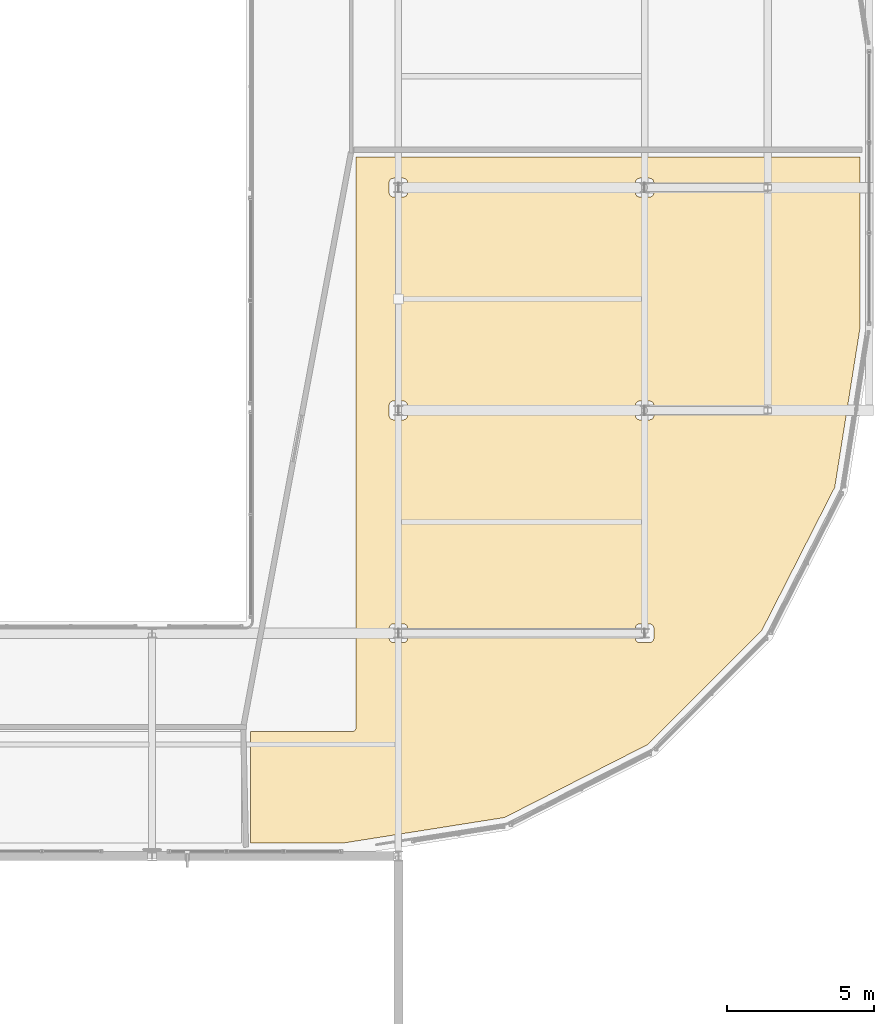
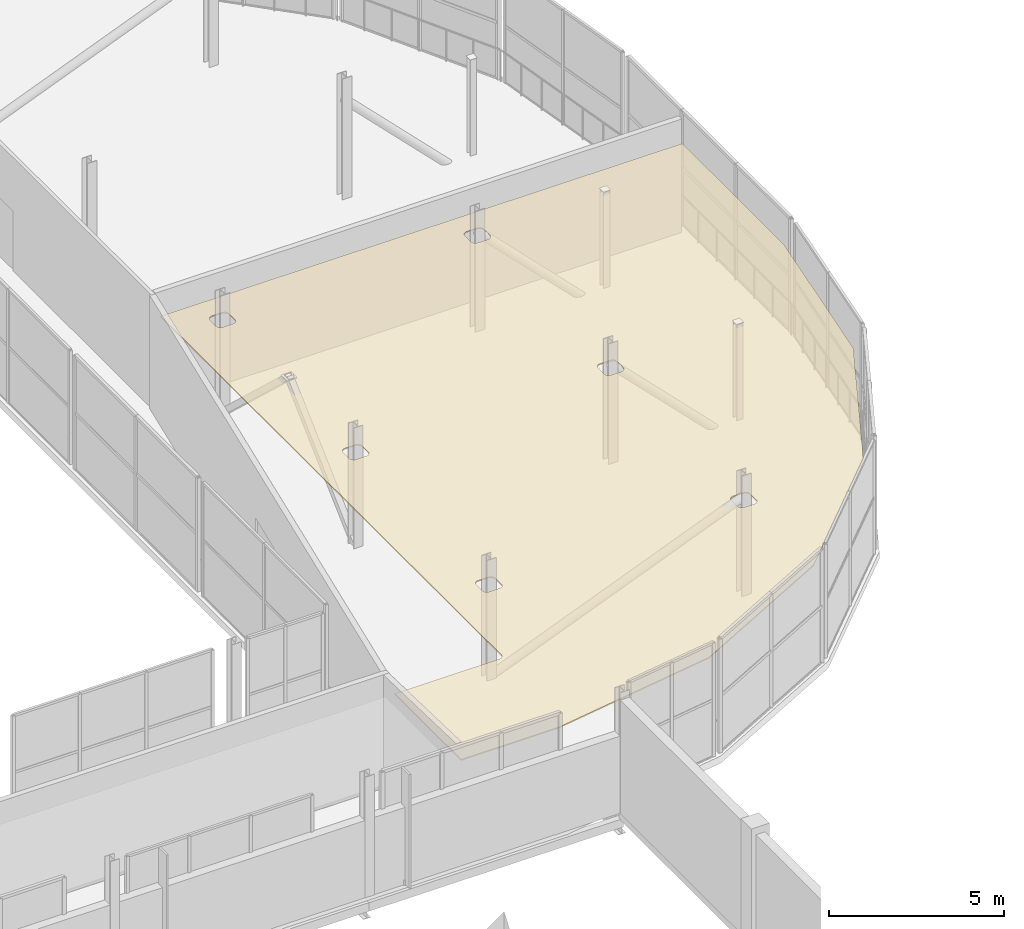
# One storey, part 151 of 151: 1 covering.
"""IFC4 building model written with IfcOpenShell, lengths in metres."""

from ifc_helpers import new_model, si_unit, direction, frame, origin, place, context, subcontext, project, spatial, polyline, outline, extrude, material, layer, layer_set, type_object, element, save


model = new_model("IFC4")

# Units and contexts
model_context = context("Model", 3, precision=1e-05, world=origin(), true_north=direction((0.0, 1.0)))
body_context = subcontext(model_context, "Body", "Model", "MODEL_VIEW")
ifc_project = project(units=[si_unit("LENGTHUNIT", "METRE"), si_unit("AREAUNIT", "SQUARE_METRE"), si_unit("VOLUMEUNIT", "CUBIC_METRE"), si_unit("PLANEANGLEUNIT", "RADIAN"), si_unit("MASSUNIT", "GRAM", prefix="KILO")], contexts=[model_context])

# Site, building, storey
site_placement = place(None, origin())
site = spatial("IfcSite", under=ifc_project, at=site_placement, CompositionType="ELEMENT")
building_placement = place(site_placement, origin())
building = spatial("IfcBuilding", under=site, at=building_placement, Name="Zuvorla Pavilion Media Centre", CompositionType="ELEMENT")
storey_placement = place(building_placement, frame((0.0, 0.0, 13.800048828125)))
storey = spatial("IfcBuildingStorey", under=building, at=storey_placement, Name="L03", CompositionType="ELEMENT", Elevation=13.800048828125)

# Covering
ifc_material = material(Name="Perforated gypsum acoustic studio ceiling")
ifc_layer = layer(ifc_material, 0.0400390625)
ifc_layer_set = layer_set([ifc_layer], Name="Perforated gypsum acoustic studio ceiling")
covering_type = type_object("IfcCoveringType", Name="COV-CLG-ACOUST", PredefinedType="CEILING", material=ifc_layer_set)
covering_placement = place(storey_placement, frame((0.0, 0.0, 3.179931640625)))
element("IfcCovering", 1, at=covering_placement, inside=storey, type_object=covering_type, Name="L03 acoustic ceiling 12", PredefinedType="CEILING", context=body_context, shape_type="SweptSolid", body=[
    extrude(outline(polyline([(167.71240234375, 47.806396484375), (162.821533203125, 45.314208984375), (157.364501953125, 44.449951171875), (154.159912109375, 44.449951171875), (154.159912109375, 48.239990234375), (157.60107421875, 48.239990234375), (157.61572265625, 48.24072265625), (157.63037109375, 48.242919921875), (157.63134765625, 48.2431640625), (157.634521484375, 48.243896484375), (157.635498046875, 48.243896484375), (157.64990234375, 48.247802734375), (157.663818359375, 48.25341796875), (157.66552734375, 48.254150390625), (157.677490234375, 48.260009765625), (157.678466796875, 48.260498046875), (157.689208984375, 48.26708984375), (157.69921875, 48.274658203125), (157.70068359375, 48.27587890625), (157.713134765625, 48.286865234375), (157.72412109375, 48.29931640625), (157.725341796875, 48.30078125), (157.73291015625, 48.310791015625), (157.739501953125, 48.321533203125), (157.739990234375, 48.322509765625), (157.745849609375, 48.33447265625), (157.74658203125, 48.336181640625), (157.752197265625, 48.35009765625), (157.756103515625, 48.364501953125), (157.756103515625, 48.365478515625), (157.7568359375, 48.36865234375), (157.757080078125, 48.36962890625), (157.75927734375, 48.38427734375), (157.760009765625, 48.39892578125), (157.760009765625, 67.840087890625), (174.949951171875, 67.840087890625), (174.949951171875, 62.035400390625), (174.085693359375, 56.57861328125), (171.59375, 51.687744140625), (167.71240234375, 47.806396484375)]), holes=[polyline([(167.285400390625, 51.4296875), (167.2861328125, 51.4150390625), (167.288330078125, 51.400390625), (167.2919921875, 51.38623046875), (167.296875, 51.372314453125), (167.302978515625, 51.359130859375), (167.310791015625, 51.346435546875), (167.3193359375, 51.334716796875), (167.329345703125, 51.32373046875), (167.340087890625, 51.313720703125), (167.35205078125, 51.30517578125), (167.36474609375, 51.297607421875), (167.3779296875, 51.291259765625), (167.391845703125, 51.286376953125), (167.406005859375, 51.28271484375), (167.420654296875, 51.280517578125), (167.435302734375, 51.27978515625), (167.7646484375, 51.27978515625), (167.779296875, 51.280517578125), (167.7939453125, 51.28271484375), (167.80810546875, 51.286376953125), (167.822021484375, 51.291259765625), (167.835205078125, 51.297607421875), (167.847900390625, 51.30517578125), (167.85986328125, 51.313720703125), (167.87060546875, 51.32373046875), (167.880615234375, 51.334716796875), (167.889404296875, 51.346435546875), (167.89697265625, 51.359130859375), (167.9033203125, 51.372314453125), (167.908203125, 51.38623046875), (167.91162109375, 51.400390625), (167.913818359375, 51.4150390625), (167.91455078125, 51.4296875), (167.91455078125, 51.770263671875), (167.913818359375, 51.784912109375), (167.91162109375, 51.799560546875), (167.908203125, 51.813720703125), (167.9033203125, 51.82763671875), (167.89697265625, 51.8408203125), (167.889404296875, 51.853515625), (167.880615234375, 51.865478515625), (167.87060546875, 51.876220703125), (167.85986328125, 51.88623046875), (167.847900390625, 51.89501953125), (167.835205078125, 51.902587890625), (167.822021484375, 51.90869140625), (167.80810546875, 51.913818359375), (167.7939453125, 51.917236328125), (167.779296875, 51.91943359375), (167.7646484375, 51.920166015625), (167.435302734375, 51.920166015625), (167.420654296875, 51.91943359375), (167.406005859375, 51.917236328125), (167.391845703125, 51.913818359375), (167.3779296875, 51.90869140625), (167.36474609375, 51.902587890625), (167.35205078125, 51.89501953125), (167.340087890625, 51.88623046875), (167.329345703125, 51.876220703125), (167.3193359375, 51.865478515625), (167.310791015625, 51.853515625), (167.302978515625, 51.8408203125), (167.296875, 51.82763671875), (167.2919921875, 51.813720703125), (167.288330078125, 51.799560546875), (167.2861328125, 51.784912109375), (167.285400390625, 51.770263671875), (167.285400390625, 51.4296875)]), polyline([(167.285400390625, 59.02978515625), (167.2861328125, 59.01513671875), (167.288330078125, 59.00048828125), (167.2919921875, 58.986328125), (167.296875, 58.972412109375), (167.302978515625, 58.958984375), (167.310791015625, 58.946533203125), (167.3193359375, 58.9345703125), (167.329345703125, 58.923583984375), (167.340087890625, 58.913818359375), (167.35205078125, 58.905029296875), (167.36474609375, 58.8974609375), (167.3779296875, 58.89111328125), (167.391845703125, 58.88623046875), (167.406005859375, 58.8828125), (167.420654296875, 58.880615234375), (167.435302734375, 58.8798828125), (167.7646484375, 58.8798828125), (167.779296875, 58.880615234375), (167.7939453125, 58.8828125), (167.80810546875, 58.88623046875), (167.822021484375, 58.89111328125), (167.835205078125, 58.8974609375), (167.847900390625, 58.905029296875), (167.85986328125, 58.913818359375), (167.87060546875, 58.923583984375), (167.880615234375, 58.9345703125), (167.889404296875, 58.946533203125), (167.89697265625, 58.958984375), (167.9033203125, 58.972412109375), (167.908203125, 58.986328125), (167.91162109375, 59.00048828125), (167.913818359375, 59.01513671875), (167.91455078125, 59.02978515625), (167.91455078125, 59.3701171875), (167.913818359375, 59.385009765625), (167.91162109375, 59.3994140625), (167.908203125, 59.413818359375), (167.9033203125, 59.427490234375), (167.89697265625, 59.44091796875), (167.889404296875, 59.45361328125), (167.880615234375, 59.46533203125), (167.87060546875, 59.476318359375), (167.85986328125, 59.486083984375), (167.847900390625, 59.494873046875), (167.835205078125, 59.50244140625), (167.822021484375, 59.5087890625), (167.80810546875, 59.513671875), (167.7939453125, 59.517333984375), (167.779296875, 59.51953125), (167.7646484375, 59.520263671875), (167.435302734375, 59.520263671875), (167.420654296875, 59.51953125), (167.406005859375, 59.517333984375), (167.391845703125, 59.513671875), (167.3779296875, 59.5087890625), (167.36474609375, 59.50244140625), (167.35205078125, 59.494873046875), (167.340087890625, 59.486083984375), (167.329345703125, 59.476318359375), (167.3193359375, 59.46533203125), (167.310791015625, 59.45361328125), (167.302978515625, 59.44091796875), (167.296875, 59.427490234375), (167.2919921875, 59.413818359375), (167.288330078125, 59.3994140625), (167.2861328125, 59.385009765625), (167.285400390625, 59.3701171875), (167.285400390625, 59.02978515625)]), polyline([(167.435302734375, 67.120361328125), (167.420654296875, 67.11962890625), (167.406005859375, 67.117431640625), (167.391845703125, 67.11376953125), (167.3779296875, 67.10888671875), (167.36474609375, 67.1025390625), (167.35205078125, 67.094970703125), (167.340087890625, 67.086181640625), (167.329345703125, 67.076416015625), (167.3193359375, 67.0654296875), (167.310791015625, 67.0537109375), (167.302978515625, 67.041015625), (167.296875, 67.027587890625), (167.2919921875, 67.013916015625), (167.288330078125, 66.99951171875), (167.2861328125, 66.985107421875), (167.285400390625, 66.97021484375), (167.285400390625, 66.629638671875), (167.2861328125, 66.614990234375), (167.288330078125, 66.600341796875), (167.2919921875, 66.586181640625), (167.296875, 66.572265625), (167.302978515625, 66.55908203125), (167.310791015625, 66.54638671875), (167.3193359375, 66.534423828125), (167.329345703125, 66.523681640625), (167.340087890625, 66.513671875), (167.35205078125, 66.5048828125), (167.36474609375, 66.497314453125), (167.3779296875, 66.4912109375), (167.391845703125, 66.486083984375), (167.406005859375, 66.482666015625), (167.420654296875, 66.48046875), (167.435302734375, 66.479736328125), (167.7646484375, 66.479736328125), (167.779296875, 66.48046875), (167.7939453125, 66.482666015625), (167.80810546875, 66.486083984375), (167.822021484375, 66.4912109375), (167.835205078125, 66.497314453125), (167.847900390625, 66.5048828125), (167.85986328125, 66.513671875), (167.87060546875, 66.523681640625), (167.880615234375, 66.534423828125), (167.889404296875, 66.54638671875), (167.89697265625, 66.55908203125), (167.9033203125, 66.572265625), (167.908203125, 66.586181640625), (167.91162109375, 66.600341796875), (167.913818359375, 66.614990234375), (167.91455078125, 66.629638671875), (167.91455078125, 66.97021484375), (167.913818359375, 66.985107421875), (167.91162109375, 66.99951171875), (167.908203125, 67.013916015625), (167.9033203125, 67.027587890625), (167.89697265625, 67.041015625), (167.889404296875, 67.0537109375), (167.880615234375, 67.0654296875), (167.87060546875, 67.076416015625), (167.85986328125, 67.086181640625), (167.847900390625, 67.094970703125), (167.835205078125, 67.1025390625), (167.822021484375, 67.10888671875), (167.80810546875, 67.11376953125), (167.7939453125, 67.117431640625), (167.779296875, 67.11962890625), (167.7646484375, 67.120361328125), (167.435302734375, 67.120361328125)]), polyline([(158.885498046875, 51.4296875), (158.885986328125, 51.4150390625), (158.88818359375, 51.400390625), (158.891845703125, 51.38623046875), (158.896728515625, 51.372314453125), (158.903076171875, 51.359130859375), (158.91064453125, 51.346435546875), (158.91943359375, 51.334716796875), (158.92919921875, 51.32373046875), (158.940185546875, 51.313720703125), (158.9521484375, 51.30517578125), (158.964599609375, 51.297607421875), (158.97802734375, 51.291259765625), (158.991943359375, 51.286376953125), (159.006103515625, 51.28271484375), (159.020751953125, 51.280517578125), (159.035400390625, 51.27978515625), (159.364501953125, 51.27978515625), (159.37939453125, 51.280517578125), (159.393798828125, 51.28271484375), (159.408203125, 51.286376953125), (159.422119140625, 51.291259765625), (159.435302734375, 51.297607421875), (159.447998046875, 51.30517578125), (159.459716796875, 51.313720703125), (159.470703125, 51.32373046875), (159.480712890625, 51.334716796875), (159.4892578125, 51.346435546875), (159.496826171875, 51.359130859375), (159.503173828125, 51.372314453125), (159.508056640625, 51.38623046875), (159.51171875, 51.400390625), (159.513916015625, 51.4150390625), (159.5146484375, 51.4296875), (159.5146484375, 51.770263671875), (159.513916015625, 51.784912109375), (159.51171875, 51.799560546875), (159.508056640625, 51.813720703125), (159.503173828125, 51.82763671875), (159.496826171875, 51.8408203125), (159.4892578125, 51.853515625), (159.480712890625, 51.865478515625), (159.470703125, 51.876220703125), (159.459716796875, 51.88623046875), (159.447998046875, 51.89501953125), (159.435302734375, 51.902587890625), (159.422119140625, 51.90869140625), (159.408203125, 51.913818359375), (159.393798828125, 51.917236328125), (159.37939453125, 51.91943359375), (159.364501953125, 51.920166015625), (159.035400390625, 51.920166015625), (159.020751953125, 51.91943359375), (159.006103515625, 51.917236328125), (158.991943359375, 51.913818359375), (158.97802734375, 51.90869140625), (158.964599609375, 51.902587890625), (158.9521484375, 51.89501953125), (158.940185546875, 51.88623046875), (158.92919921875, 51.876220703125), (158.91943359375, 51.865478515625), (158.91064453125, 51.853515625), (158.903076171875, 51.8408203125), (158.896728515625, 51.82763671875), (158.891845703125, 51.813720703125), (158.88818359375, 51.799560546875), (158.885986328125, 51.784912109375), (158.885498046875, 51.770263671875), (158.885498046875, 51.4296875)]), polyline([(158.885498046875, 59.02978515625), (158.885986328125, 59.01513671875), (158.88818359375, 59.00048828125), (158.891845703125, 58.986328125), (158.896728515625, 58.972412109375), (158.903076171875, 58.958984375), (158.91064453125, 58.946533203125), (158.91943359375, 58.9345703125), (158.92919921875, 58.923583984375), (158.940185546875, 58.913818359375), (158.9521484375, 58.905029296875), (158.964599609375, 58.8974609375), (158.97802734375, 58.89111328125), (158.991943359375, 58.88623046875), (159.006103515625, 58.8828125), (159.020751953125, 58.880615234375), (159.035400390625, 58.8798828125), (159.364501953125, 58.8798828125), (159.37939453125, 58.880615234375), (159.393798828125, 58.8828125), (159.408203125, 58.88623046875), (159.422119140625, 58.89111328125), (159.435302734375, 58.8974609375), (159.447998046875, 58.905029296875), (159.459716796875, 58.913818359375), (159.470703125, 58.923583984375), (159.480712890625, 58.9345703125), (159.4892578125, 58.946533203125), (159.496826171875, 58.958984375), (159.503173828125, 58.972412109375), (159.508056640625, 58.986328125), (159.51171875, 59.00048828125), (159.513916015625, 59.01513671875), (159.5146484375, 59.02978515625), (159.5146484375, 59.3701171875), (159.513916015625, 59.385009765625), (159.51171875, 59.3994140625), (159.508056640625, 59.413818359375), (159.503173828125, 59.427490234375), (159.496826171875, 59.44091796875), (159.4892578125, 59.45361328125), (159.480712890625, 59.46533203125), (159.470703125, 59.476318359375), (159.459716796875, 59.486083984375), (159.447998046875, 59.494873046875), (159.435302734375, 59.50244140625), (159.422119140625, 59.5087890625), (159.408203125, 59.513671875), (159.393798828125, 59.517333984375), (159.37939453125, 59.51953125), (159.364501953125, 59.520263671875), (159.035400390625, 59.520263671875), (159.020751953125, 59.51953125), (159.006103515625, 59.517333984375), (158.991943359375, 59.513671875), (158.97802734375, 59.5087890625), (158.964599609375, 59.50244140625), (158.9521484375, 59.494873046875), (158.940185546875, 59.486083984375), (158.92919921875, 59.476318359375), (158.91943359375, 59.46533203125), (158.91064453125, 59.45361328125), (158.903076171875, 59.44091796875), (158.896728515625, 59.427490234375), (158.891845703125, 59.413818359375), (158.88818359375, 59.3994140625), (158.885986328125, 59.385009765625), (158.885498046875, 59.3701171875), (158.885498046875, 59.02978515625)]), polyline([(158.885498046875, 66.629638671875), (158.885986328125, 66.614990234375), (158.88818359375, 66.600341796875), (158.891845703125, 66.586181640625), (158.896728515625, 66.572265625), (158.903076171875, 66.55908203125), (158.91064453125, 66.54638671875), (158.91943359375, 66.534423828125), (158.92919921875, 66.523681640625), (158.940185546875, 66.513671875), (158.9521484375, 66.5048828125), (158.964599609375, 66.497314453125), (158.97802734375, 66.4912109375), (158.991943359375, 66.486083984375), (159.006103515625, 66.482666015625), (159.020751953125, 66.48046875), (159.035400390625, 66.479736328125), (159.364501953125, 66.479736328125), (159.37939453125, 66.48046875), (159.393798828125, 66.482666015625), (159.408203125, 66.486083984375), (159.422119140625, 66.4912109375), (159.435302734375, 66.497314453125), (159.447998046875, 66.5048828125), (159.459716796875, 66.513671875), (159.470703125, 66.523681640625), (159.480712890625, 66.534423828125), (159.4892578125, 66.54638671875), (159.496826171875, 66.55908203125), (159.503173828125, 66.572265625), (159.508056640625, 66.586181640625), (159.51171875, 66.600341796875), (159.513916015625, 66.614990234375), (159.5146484375, 66.629638671875), (159.5146484375, 66.97021484375), (159.513916015625, 66.985107421875), (159.51171875, 66.99951171875), (159.508056640625, 67.013916015625), (159.503173828125, 67.027587890625), (159.496826171875, 67.041015625), (159.4892578125, 67.0537109375), (159.480712890625, 67.0654296875), (159.470703125, 67.076416015625), (159.459716796875, 67.086181640625), (159.447998046875, 67.094970703125), (159.435302734375, 67.1025390625), (159.422119140625, 67.10888671875), (159.408203125, 67.11376953125), (159.393798828125, 67.117431640625), (159.37939453125, 67.11962890625), (159.364501953125, 67.120361328125), (159.035400390625, 67.120361328125), (159.020751953125, 67.11962890625), (159.006103515625, 67.117431640625), (158.991943359375, 67.11376953125), (158.97802734375, 67.10888671875), (158.964599609375, 67.1025390625), (158.9521484375, 67.094970703125), (158.940185546875, 67.086181640625), (158.92919921875, 67.076416015625), (158.91943359375, 67.0654296875), (158.91064453125, 67.0537109375), (158.903076171875, 67.041015625), (158.896728515625, 67.027587890625), (158.891845703125, 67.013916015625), (158.88818359375, 66.99951171875), (158.885986328125, 66.985107421875), (158.885498046875, 66.97021484375), (158.885498046875, 66.629638671875)])]), origin(), (0.0, 0.0, 1.0), 0.0400390625),
])

save(model, "model.ifc")
